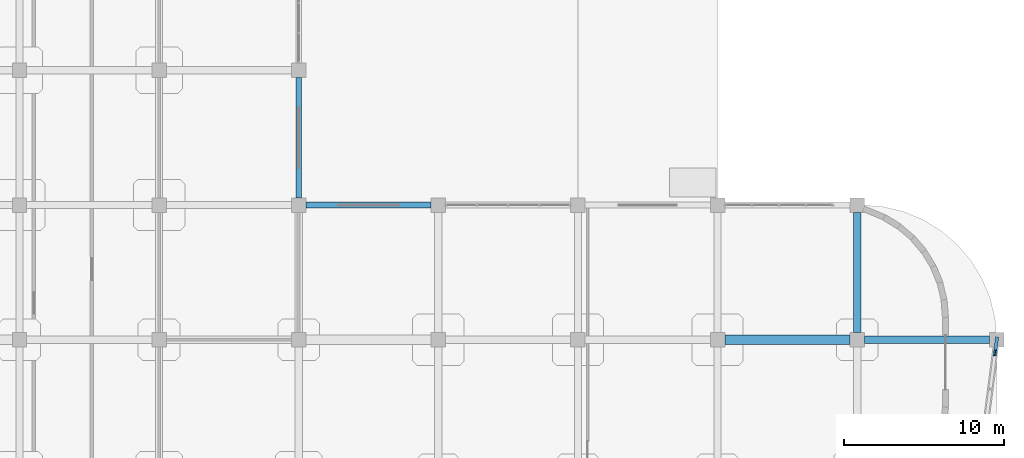
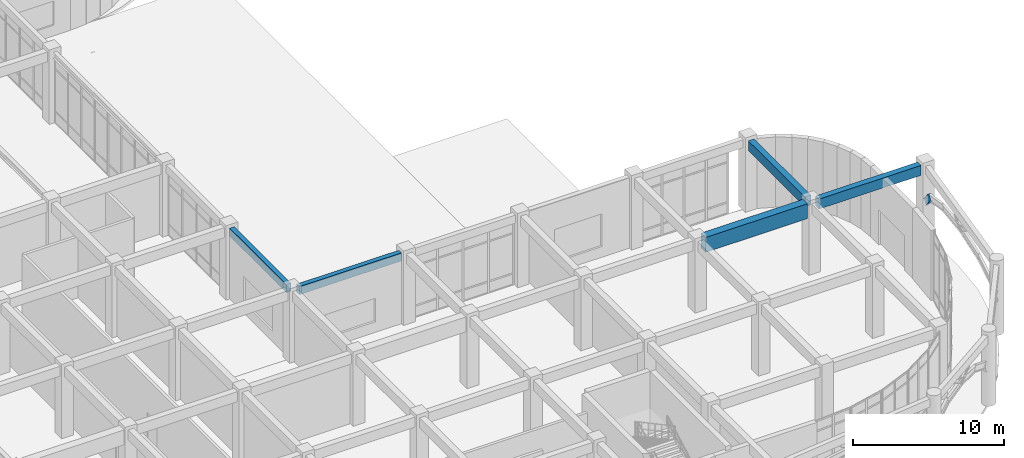
# One storey, part 33 of 82: 6 beams.
"""IFC4 building model written with IfcOpenShell, lengths in metres."""

import ifcopenshell
import ifcopenshell.guid

model = None  # the IFC model being written
_history = None  # IfcOwnerHistory: only IFC2X3 demands one
_inside = {}  # id of a spatial element -> (the spatial element, [elements in it])
_under = {}  # id of a project, library or spatial element -> (it, [spatial elements below it])
_declared = {}  # id of a project -> (the project, [libraries it declares])
_typed = {}  # id of a type object -> (the type object, [elements of that type])
_made_of = {}  # id of a material, layer set ... -> (it, [elements and type objects made of it])


def new_model(schema):
    """Start an empty IFC model of exactly this schema.

    Asked for "IFC4X3", IfcOpenShell would pick the latest addendum, in which some entities
    have other attributes; the version numbers below select the first issue.
    IFC2X3 requires an IfcOwnerHistory on every rooted entity: one is made here for all.
    """
    global model, _history
    if schema == "IFC4X3":
        model = ifcopenshell.file(schema_version=(4, 3, 0, 0))
    else:
        model = ifcopenshell.file(schema=schema)
    _inside.clear()
    _under.clear()
    _declared.clear()
    _typed.clear()
    _made_of.clear()
    _history = None
    if model.schema == "IFC2X3":
        org = make("IfcOrganization", Name="unknown")
        user = make(
            "IfcPersonAndOrganization",
            ThePerson=make("IfcPerson", FamilyName="unknown"),
            TheOrganization=org,
        )
        app = make(
            "IfcApplication",
            ApplicationDeveloper=org,
            Version="unknown",
            ApplicationFullName="unknown",
            ApplicationIdentifier="unknown",
        )
        _history = make(
            "IfcOwnerHistory",
            OwningUser=user,
            OwningApplication=app,
            ChangeAction="ADDED",
            CreationDate=0,
        )
    return model


def make(cls, **values):
    """One entity of the class cls with the attributes given. An attribute that is None is left unset."""
    return model.create_entity(
        cls, **{name: value for name, value in values.items() if value is not None}
    )


def rooted(cls, **values):
    """An entity with a GlobalId (a new one), such as an element, a storey or a relation."""
    return make(cls, GlobalId=ifcopenshell.guid.new(), OwnerHistory=_history, **values)


def si_unit(unit_type, name, prefix=None):
    """IfcSIUnit, for example si_unit("LENGTHUNIT", "METRE", prefix="MILLI")."""
    return make("IfcSIUnit", UnitType=unit_type, Prefix=prefix, Name=name)


def derived_unit(unit_type, elements):
    """IfcDerivedUnit: a product of units, each with its exponent."""
    return make(
        "IfcDerivedUnit",
        Elements=[
            make("IfcDerivedUnitElement", Unit=unit, Exponent=power)
            for unit, power in elements
        ],
        UnitType=unit_type,
    )


def assignment(units):
    """IfcUnitAssignment: the units of a project."""
    return None if units is None else make("IfcUnitAssignment", Units=units)


def point(xyz):
    """IfcCartesianPoint."""
    return None if xyz is None else make("IfcCartesianPoint", Coordinates=xyz)


def direction(xyz):
    """IfcDirection."""
    return None if xyz is None else make("IfcDirection", DirectionRatios=xyz)


def frame(location, z_axis=None, x_axis=None):
    """IfcAxis2Placement3D, a coordinate frame: its origin and axes. An axis left out is left unset."""
    return make(
        "IfcAxis2Placement3D",
        Location=point(location),
        Axis=direction(z_axis),
        RefDirection=direction(x_axis),
    )


def frame_2d(location, x_axis=None):
    """IfcAxis2Placement2D, a coordinate frame in the plane: its origin and x axis."""
    return make(
        "IfcAxis2Placement2D", Location=point(location), RefDirection=direction(x_axis)
    )


def origin():
    """The frame at (0, 0, 0) with its axes left unset."""
    return frame((0.0, 0.0, 0.0))


def origin_2d():
    """The frame at (0, 0) in the plane with its x axis left unset."""
    return frame_2d((0.0, 0.0))


def place(relative_to, where):
    """IfcLocalPlacement: puts the frame where relative to a parent placement (None: the world)."""
    return make(
        "IfcLocalPlacement", PlacementRelTo=relative_to, RelativePlacement=where
    )


def context(
    kind, dimensions, precision=None, world=None, true_north=None, identifier=None
):
    """IfcGeometricRepresentationContext, for example the 3D "Model" context."""
    return make(
        "IfcGeometricRepresentationContext",
        ContextIdentifier=identifier,
        ContextType=kind,
        CoordinateSpaceDimension=dimensions,
        Precision=precision,
        WorldCoordinateSystem=world,
        TrueNorth=true_north,
    )


def subcontext(parent, identifier, kind, view, scale=None):
    """IfcGeometricRepresentationSubContext, for example "Body" below "Model"."""
    return make(
        "IfcGeometricRepresentationSubContext",
        ContextIdentifier=identifier,
        ContextType=kind,
        ParentContext=parent,
        TargetScale=scale,
        TargetView=view,
    )


def project(units=None, contexts=None):
    """IfcProject with its units and contexts."""
    return rooted(
        "IfcProject",
        Name="project",
        RepresentationContexts=contexts,
        UnitsInContext=assignment(units),
    )


def spatial(cls, under=None, at=None, **own):
    """A site, building, storey or space (cls), placed at a placement, below another one or the project."""
    s = rooted(cls, ObjectPlacement=at, **own)
    if under is not None:
        _under.setdefault(under.id(), (under, []))[1].append(s)
    return s


def profile(cls, at=None, kind="AREA", **sizes):
    """A parametric profile (cls). Its sizes go by their IFC names, for example OverallWidth=200.0."""
    return make(cls, ProfileType=kind, Position=at, **sizes)


def rectangle(**sizes):
    """IfcRectangleProfileDef."""
    return profile("IfcRectangleProfileDef", **sizes)


def i_section(**sizes):
    """IfcIShapeProfileDef."""
    return profile("IfcIShapeProfileDef", **sizes)


def extrude(swept, where, along, depth):
    """IfcExtrudedAreaSolid: the profile swept, set in the frame where, extruded along a direction by depth."""
    return make(
        "IfcExtrudedAreaSolid",
        SweptArea=swept,
        Position=where,
        ExtrudedDirection=direction(along),
        Depth=depth,
    )


def shape(context_of_items, identifier, shape_type, items):
    """IfcShapeRepresentation: the items that make up one representation, for example the "Body"."""
    return make(
        "IfcShapeRepresentation",
        ContextOfItems=context_of_items,
        RepresentationIdentifier=identifier,
        RepresentationType=shape_type,
        Items=items,
    )


def material(Name=None, Category=None):
    """IfcMaterial."""
    return make("IfcMaterial", Name=Name, Category=Category)


def material_profile(
    of_material, cross_section, Name=None, Category=None, Priority=None
):
    """IfcMaterialProfile: a cross section and its material."""
    return make(
        "IfcMaterialProfile",
        Name=Name,
        Material=of_material,
        Profile=cross_section,
        Priority=Priority,
        Category=Category,
    )


def profile_set(profiles, Name=None, composite=None):
    """IfcMaterialProfileSet."""
    return make(
        "IfcMaterialProfileSet",
        Name=Name,
        MaterialProfiles=profiles,
        CompositeProfile=composite,
    )


def made_of(thing, what):
    """Note that an element or type object is made of a material, layer set ...; save() writes the relation."""
    if what is not None:
        _made_of.setdefault(what.id(), (what, []))[1].append(thing)
    return thing


def type_object(cls, material=None, **own):
    """A type object (cls), such as IfcWallType, which elements share."""
    return made_of(rooted(cls, **own), material)


def element(
    cls,
    number,
    at=None,
    inside=None,
    cuts=None,
    type_object=None,
    material=None,
    context=None,
    identifier="Body",
    shape_type=None,
    held_by="IfcProductDefinitionShape",
    body=None,
    shapes=None,
    **own,
):
    """One element of the class cls, such as IfcWall. Its Tag is "e" and its number.

    at: its placement. inside: the storey or other place that contains it. cuts: it is an
    opening in that element (IfcRelVoidsElement). A single representation is given by context,
    identifier, shape_type and body (its items); several are given by shapes. held_by: the class
    of the entity that holds the representations. save() writes the other relations.
    """
    e = rooted(cls, Tag="e%d" % number, ObjectPlacement=at, **own)
    if body is not None:
        shapes = [shape(context, identifier, shape_type, body)]
    if shapes is not None:
        e.Representation = make(held_by, Representations=shapes)
    if inside is not None:
        _inside.setdefault(inside.id(), (inside, []))[1].append(e)
    if cuts is not None:
        rooted(
            "IfcRelVoidsElement", RelatingBuildingElement=cuts, RelatedOpeningElement=e
        )
    if type_object is not None:
        _typed.setdefault(type_object.id(), (type_object, []))[1].append(e)
    return made_of(e, material)


def aggregate(whole, parts):
    """IfcRelAggregates: a whole, such as a stair, and the parts it consists of."""
    return rooted("IfcRelAggregates", RelatingObject=whole, RelatedObjects=parts)


def save(model, path):
    """Write the relations noted so far, then the file.

    IfcRelAggregates (storeys below a building ...), IfcRelContainedInSpatialStructure (elements
    in a storey), IfcRelDefinesByType, IfcRelAssociatesMaterial and IfcRelDeclares: one each for
    every whole, place, type object, material and project.
    """
    for whole, parts in _under.values():
        aggregate(whole, parts)
    for where, things in _inside.values():
        rooted(
            "IfcRelContainedInSpatialStructure",
            RelatedElements=things,
            RelatingStructure=where,
        )
    for kind, things in _typed.values():
        rooted("IfcRelDefinesByType", RelatedObjects=things, RelatingType=kind)
    for what, things in _made_of.values():
        rooted("IfcRelAssociatesMaterial", RelatedObjects=things, RelatingMaterial=what)
    for by, libraries in _declared.values():
        rooted("IfcRelDeclares", RelatingContext=by, RelatedDefinitions=libraries)
    model.write(path)


model = new_model("IFC4")

# Units and contexts
model_context = context("Model", 3, precision=1e-05, world=origin(), true_north=direction((0.0, 1.0)))
body_context = subcontext(model_context, "Body", "Model", "MODEL_VIEW")
ifc_project = project(units=[si_unit("LENGTHUNIT", "METRE"), si_unit("AREAUNIT", "SQUARE_METRE"), si_unit("VOLUMEUNIT", "CUBIC_METRE"), si_unit("PLANEANGLEUNIT", "RADIAN"), si_unit("MASSUNIT", "GRAM", prefix="KILO"), derived_unit("THERMALTRANSMITTANCEUNIT", [(si_unit("MASSUNIT", "GRAM", prefix="KILO"), 1), (si_unit("TIMEUNIT", "SECOND"), -3), (si_unit("THERMODYNAMICTEMPERATUREUNIT", "KELVIN"), -1)])], contexts=[model_context])

# Site, building, storey
site_placement = place(None, origin())
site = spatial("IfcSite", under=ifc_project, at=site_placement, CompositionType="ELEMENT")
building_placement = place(site_placement, origin())
building = spatial("IfcBuilding", under=site, at=building_placement, Name="Qinzheling Arcade Emporium", CompositionType="ELEMENT")
storey_placement = place(building_placement, origin())
storey = spatial("IfcBuildingStorey", under=building, at=storey_placement, Name="L01", CompositionType="ELEMENT", Elevation=0.0)

# Beams
ifc_material_1 = material(Name="Weathering steel Q355NH", Category="steel")
ifc_material_profile_1 = material_profile(ifc_material_1, i_section(OverallWidth=0.199951171875, OverallDepth=0.5, WebThickness=0.010009765625, FlangeThickness=0.01611328125, FilletRadius=0.01806640625, at=origin_2d()), Name="HN 500x200x10x16", Category="steel")
ifc_profile_set_1 = profile_set([ifc_material_profile_1], Name="Weathering steel Q355NH")
beam_type_1 = type_object("IfcBeamType", Name="Arcade End Arch Rib HN500 Q355NH", PredefinedType="BEAM", material=ifc_profile_set_1)
beam_1_placement = place(storey_placement, frame((173.89306640625, 24.3798828125, 3.3720703125), z_axis=(0.086852086942, 0.666064292324, -0.740820540674), x_axis=(-0.991605348896, 0.12930132266, 0.0)))
element("IfcBeam", 1, at=beam_1_placement, inside=storey, type_object=beam_type_1, Name="Curved Arcade Entrance Arch ARC-L01-CV4-B04-C06", PredefinedType="BEAM", context=body_context, shape_type="SweptSolid", body=[
    extrude(i_section(OverallWidth=0.199951171875, OverallDepth=0.5, WebThickness=0.010009765625, FlangeThickness=0.01611328125, FilletRadius=0.01806640625, at=origin_2d()), origin(), (0.0, 0.0, 1.0), 1.231201171875),
])
ifc_material_2 = material(Name="Concrete C40", Category="concrete")
ifc_material_profile_2 = material_profile(ifc_material_2, rectangle(XDim=0.449951171875, YDim=0.800048828125, at=origin_2d()), Name="RC 450x800", Category="concrete")
ifc_profile_set_2 = profile_set([ifc_material_profile_2], Name="Concrete C40")
beam_type_2 = type_object("IfcBeamType", Name="RC Primary Frame Beam 450x800 C40", PredefinedType="BEAM", material=ifc_profile_set_2)
beam_2_placement = place(storey_placement, frame((165.75, 25.199951171875, 5.304931640625), z_axis=(1.0, 0.0, 0.0), x_axis=(0.0, 1.0, 0.0)))
element("IfcBeam", 2, at=beam_2_placement, inside=storey, type_object=beam_type_2, Name="Beam BM-L01-X-D-20", PredefinedType="BEAM", context=body_context, shape_type="SweptSolid", body=[
    extrude(rectangle(XDim=0.449951171875, YDim=0.800048828125, at=origin_2d()), origin(), (0.0, 0.0, 1.0), 7.800048828125),
])
beam_3_placement = place(storey_placement, frame((165.300048828125, 25.64990234375, 5.304931640625), z_axis=(0.0, 1.0, 0.0), x_axis=(-1.0, 0.0, 0.0)))
element("IfcBeam", 3, at=beam_3_placement, inside=storey, type_object=beam_type_2, Name="Beam BM-L01-Y-20-D", PredefinedType="BEAM", context=body_context, shape_type="SweptSolid", body=[
    extrude(rectangle(XDim=0.449951171875, YDim=0.800048828125, at=origin_2d()), origin(), (0.0, 0.0, 1.0), 7.5),
])
ifc_material_profile_3 = material_profile(ifc_material_2, rectangle(XDim=0.35009765625, YDim=0.64990234375, at=origin_2d()), Name="RC 350x650", Category="concrete")
ifc_profile_set_3 = profile_set([ifc_material_profile_3], Name="Concrete C40")
beam_type_3 = type_object("IfcBeamType", Name="RC Spandrel Edge Beam 350x650 C40", PredefinedType="SPANDREL", material=ifc_profile_set_3)
beam_4_placement = place(storey_placement, frame((130.949951171875, 33.60009765625, 5.3798828125), z_axis=(1.0, 0.0, 0.0), x_axis=(0.0, 1.0, 0.0)))
element("IfcBeam", 4, at=beam_4_placement, inside=storey, type_object=beam_type_3, Name="Beam BM-L01-X-E-16", PredefinedType="SPANDREL", context=body_context, shape_type="SweptSolid", body=[
    extrude(rectangle(XDim=0.35009765625, YDim=0.64990234375, at=origin_2d()), origin(), (0.0, 0.0, 1.0), 7.800048828125),
])
beam_5_placement = place(storey_placement, frame((130.5, 34.050048828125, 5.39501953125), z_axis=(0.0, 1.0, 0.0), x_axis=(-1.0, 0.0, 0.0)))
element("IfcBeam", 5, at=beam_5_placement, inside=storey, type_object=beam_type_3, Name="Beam BM-L01-Y-16-E", PredefinedType="SPANDREL", context=body_context, shape_type="SweptSolid", body=[
    extrude(rectangle(XDim=0.35009765625, YDim=0.64990234375, at=origin_2d()), origin(), (0.0, 0.0, 1.0), 7.5),
])
ifc_material_profile_4 = material_profile(ifc_material_2, rectangle(XDim=0.60009765625, YDim=1.199951171875, at=origin_2d()), Name="RC 600x1200", Category="concrete")
ifc_profile_set_4 = profile_set([ifc_material_profile_4], Name="Concrete C40")
beam_type_4 = type_object("IfcBeamType", Name="RC Transfer Girder 600x1200 C40", PredefinedType="USERDEFINED", material=ifc_profile_set_4)
beam_6_placement = place(storey_placement, frame((157.050048828125, 25.199951171875, 5.10498046875), z_axis=(1.0, 0.0, 0.0), x_axis=(0.0, 1.0, 0.0)))
element("IfcBeam", 6, at=beam_6_placement, inside=storey, type_object=beam_type_4, Name="Beam BM-L01-X-D-19", ObjectType="TRANSFER_GIRDER", PredefinedType="USERDEFINED", context=body_context, shape_type="SweptSolid", body=[
    extrude(rectangle(XDim=0.60009765625, YDim=1.199951171875, at=origin_2d()), origin(), (0.0, 0.0, 1.0), 7.800048828125),
])

save(model, "model.ifc")
